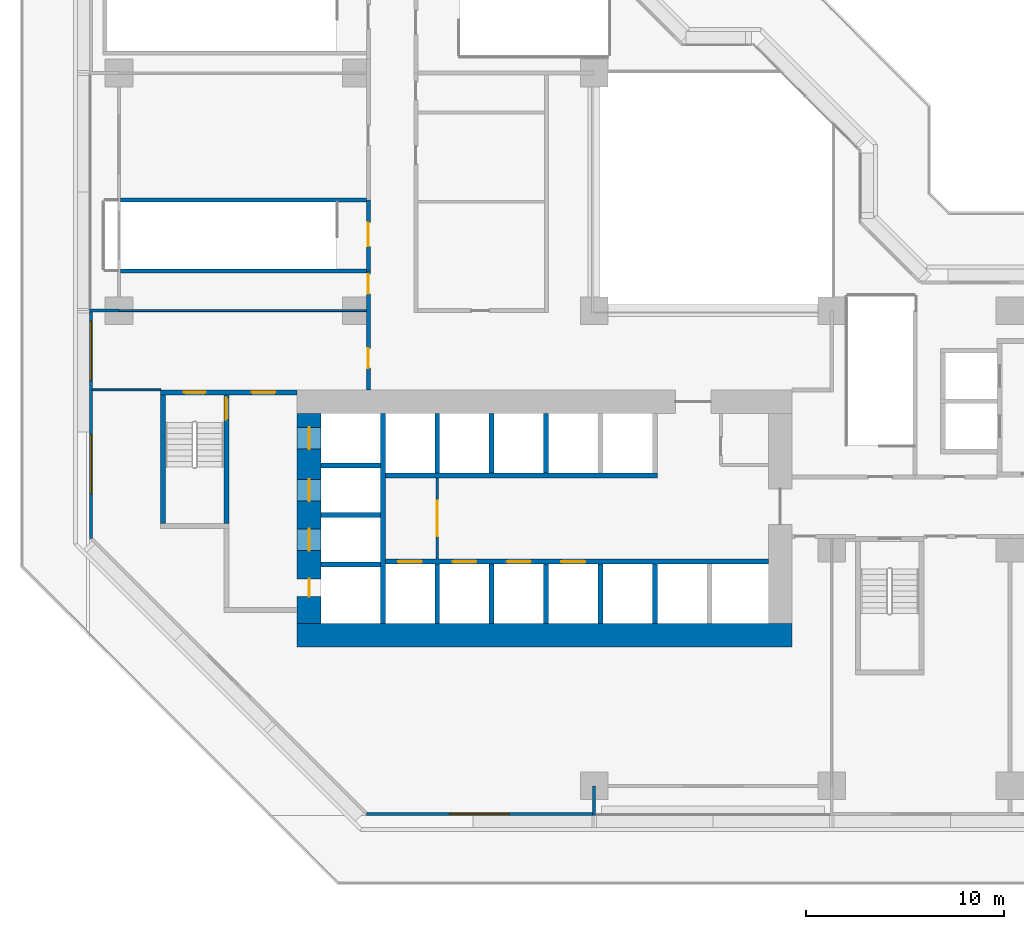
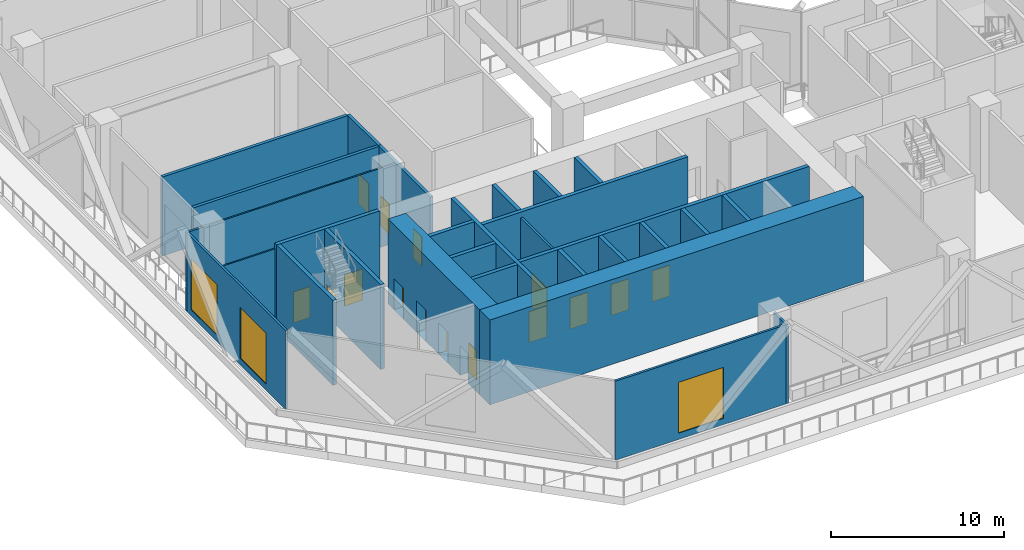
# One storey, part 4 of 16: 30 walls, 15 doors, 3 windows, 18 openings.
"""IFC4 building model written with IfcOpenShell, lengths in metres."""

from ifc_helpers import new_model, si_unit, direction, frame, frame_2d, origin, place, context, subcontext, project, spatial, rectangle, extrude, material, layer, layer_set, type_object, element, fill, save


model = new_model("IFC4")

# Units and contexts
model_context = context("Model", 3, precision=1e-05, world=origin(), true_north=direction((0.0, 1.0)))
body_context = subcontext(model_context, "Body", "Model", "MODEL_VIEW")
ifc_project = project(units=[si_unit("LENGTHUNIT", "METRE"), si_unit("AREAUNIT", "SQUARE_METRE"), si_unit("VOLUMEUNIT", "CUBIC_METRE"), si_unit("PLANEANGLEUNIT", "RADIAN"), si_unit("MASSUNIT", "GRAM", prefix="KILO")], contexts=[model_context])

# Site, building, storey
site_placement = place(None, origin())
site = spatial("IfcSite", under=ifc_project, at=site_placement, CompositionType="ELEMENT")
building_placement = place(site_placement, origin())
building = spatial("IfcBuilding", under=site, at=building_placement, Name="Chenar Terraces", CompositionType="ELEMENT")
storey_placement = place(building_placement, frame((0.0, 0.0, 35.39990234375)))
storey = spatial("IfcBuildingStorey", under=building, at=storey_placement, Name="L06", CompositionType="ELEMENT", Elevation=35.39990234375)

# Wall, opening, door
ifc_material_1 = material(Name="Gypsum board on steel studs", Category="steel")
ifc_layer_1 = layer(ifc_material_1, 0.14990234375)
ifc_layer_set_1 = layer_set([ifc_layer_1], Name="Gypsum board on steel studs")
wall_type_1 = type_object("IfcWallType", Name="Core partition 150 gypsum board", PredefinedType="PARTITIONING", material=ifc_layer_set_1)
wall_1_placement = place(storey_placement, frame((16.074951171875, 11.449951171875, 0.0), z_axis=(0.0, 0.0, 1.0), x_axis=(0.0, 1.0, 0.0)))
wall_1 = element("IfcWall", 1, at=wall_1_placement, inside=storey, type_object=wall_type_1, Name="Core partition CP1 lift lobby smoke stop", PredefinedType="PARTITIONING", context=body_context, shape_type="SweptSolid", body=[
    extrude(rectangle(XDim=4.10009765625, YDim=0.14990234375, at=frame_2d((2.050048828125, 0.0))), origin(), (0.0, 0.0, 1.0), 5.60009765625),
])
opening_1_placement = place(wall_1_placement, frame((1.14990234375, 0.0, 0.0)))
opening_1 = element("IfcOpeningElement", 2, at=opening_1_placement, cuts=wall_1, Name="Opening DL06-C12", PredefinedType="OPENING", context=body_context, shape_type="SweptSolid", body=[
    extrude(rectangle(XDim=1.800048828125, YDim=2.39990234375, at=frame_2d((0.89990234375, 1.199951171875))), frame((0.0, 0.0849609375, 0.0), z_axis=(0.0, -1.0, 0.0), x_axis=(1.0, 0.0, 0.0)), (0.0, 0.0, 1.0), 0.169921875),
])
ifc_material_2 = material(Name="Steel-framed fire-resisting door leaf", Category="steel")
door_type_1 = type_object("IfcDoorType", Name="Core entrance double fire door FD60 1800 x 2400", OperationType="DOUBLE_DOOR_SINGLE_SWING", PredefinedType="DOOR", material=ifc_material_2)
door_1_placement = place(opening_1_placement, origin())
door_1 = element("IfcDoor", 3, at=door_1_placement, inside=storey, type_object=door_type_1, Name="Core door DL06-C12", OperationType="DOUBLE_DOOR_SINGLE_SWING", OverallHeight=2.39990234375, OverallWidth=1.800048828125, PredefinedType="DOOR", context=body_context, shape_type="SweptSolid", body=[
    extrude(rectangle(XDim=1.800048828125, YDim=2.39990234375, at=frame_2d((0.89990234375, 1.199951171875))), frame((0.0, 0.02490234375, 0.0), z_axis=(0.0, -1.0, 0.0), x_axis=(1.0, 0.0, 0.0)), (0.0, 0.0, 1.0), 0.050048828125),
])
fill(opening_1, door_1)

# Wall
ifc_material_3 = material(Name="Concrete C70/85", Category="concrete")
ifc_layer_2 = layer(ifc_material_3, 1.199951171875)
ifc_layer_set_2 = layer_set([ifc_layer_2], Name="Concrete C70/85")
wall_type_2 = type_object("IfcWallType", Name="Core wall 1200 Concrete C70/85", PredefinedType="SHEAR", material=ifc_layer_set_2)
wall_2_placement = place(storey_placement, frame((9.0, 7.60009765625, 0.0), z_axis=(0.0, 0.0, 1.0), x_axis=(1.0, 0.0, 0.0)))
element("IfcWall", 4, at=wall_2_placement, inside=storey, type_object=wall_type_2, Name="Core wall S L06", PredefinedType="SHEAR", context=body_context, shape_type="SweptSolid", body=[
    extrude(rectangle(XDim=25.0, YDim=1.199951171875, at=frame_2d((12.5, 0.0))), origin(), (0.0, 0.0, 1.0), 6.0),
])

# Wall, openings, doors
wall_3_placement = place(storey_placement, frame((9.60009765625, 8.199951171875, 0.0), z_axis=(0.0, 0.0, 1.0), x_axis=(0.0, 1.0, 0.0)))
wall_3 = element("IfcWall", 5, at=wall_3_placement, inside=storey, type_object=wall_type_2, Name="Core wall W L06", PredefinedType="SHEAR", context=body_context, shape_type="SweptSolid", body=[
    extrude(rectangle(XDim=10.60009765625, YDim=1.199951171875, at=frame_2d((5.300048828125, 0.0))), origin(), (0.0, 0.0, 1.0), 6.0),
])
opening_2_placement = place(wall_3_placement, frame((3.675048828125, 0.0, 0.0)))
opening_2 = element("IfcOpeningElement", 6, at=opening_2_placement, cuts=wall_3, Name="Opening DL06-LD5", PredefinedType="OPENING", context=body_context, shape_type="SweptSolid", body=[
    extrude(rectangle(XDim=1.10009765625, YDim=2.199951171875, at=frame_2d((0.550048828125, 1.10009765625))), frame((0.0, 0.60986328125, 0.0), z_axis=(0.0, -1.0, 0.0), x_axis=(1.0, 0.0, 0.0)), (0.0, 0.0, 1.0), 1.219970703125),
])
opening_3_placement = place(wall_3_placement, frame((6.175048828125, 0.0, 0.0)))
opening_3 = element("IfcOpeningElement", 7, at=opening_3_placement, cuts=wall_3, Name="Opening DL06-LD6", PredefinedType="OPENING", context=body_context, shape_type="SweptSolid", body=[
    extrude(rectangle(XDim=1.10009765625, YDim=2.199951171875, at=frame_2d((0.550048828125, 1.10009765625))), frame((0.0, 0.60986328125, 0.0), z_axis=(0.0, -1.0, 0.0), x_axis=(1.0, 0.0, 0.0)), (0.0, 0.0, 1.0), 1.219970703125),
])
opening_4_placement = place(wall_3_placement, frame((8.800048828125, 0.0, 0.0)))
opening_4 = element("IfcOpeningElement", 8, at=opening_4_placement, cuts=wall_3, Name="Opening DL06-LD7", PredefinedType="OPENING", context=body_context, shape_type="SweptSolid", body=[
    extrude(rectangle(XDim=1.10009765625, YDim=2.199951171875, at=frame_2d((0.550048828125, 1.10009765625))), frame((0.0, 0.60986328125, 0.0), z_axis=(0.0, -1.0, 0.0), x_axis=(1.0, 0.0, 0.0)), (0.0, 0.0, 1.0), 1.219970703125),
])
opening_5_placement = place(wall_3_placement, frame((1.35009765625, 0.0, 0.0)))
opening_5 = element("IfcOpeningElement", 9, at=opening_5_placement, cuts=wall_3, Name="Opening DL06-C4", PredefinedType="OPENING", context=body_context, shape_type="SweptSolid", body=[
    extrude(rectangle(XDim=0.89990234375, YDim=2.10009765625, at=frame_2d((0.449951171875, 1.050048828125))), frame((0.0, 0.60986328125, 0.0), z_axis=(0.0, -1.0, 0.0), x_axis=(1.0, 0.0, 0.0)), (0.0, 0.0, 1.0), 1.219970703125),
])
ifc_material_4 = material(Name="Stainless steel", Category="steel")
door_type_2 = type_object("IfcDoorType", Name="Lift landing door 1100 x 2200 sliding", OperationType="DOUBLE_DOOR_SLIDING", PredefinedType="DOOR", material=ifc_material_4)
door_2_placement = place(opening_2_placement, origin())
door_2 = element("IfcDoor", 10, at=door_2_placement, inside=storey, type_object=door_type_2, Name="Landing door S1", OperationType="DOUBLE_DOOR_SLIDING", OverallHeight=2.199951171875, OverallWidth=1.10009765625, PredefinedType="DOOR", context=body_context, shape_type="SweptSolid", body=[
    extrude(rectangle(XDim=1.10009765625, YDim=2.199951171875, at=frame_2d((0.550048828125, 1.10009765625))), frame((0.0, 0.02490234375, 0.0), z_axis=(0.0, -1.0, 0.0), x_axis=(1.0, 0.0, 0.0)), (0.0, 0.0, 1.0), 0.050048828125),
])
fill(opening_2, door_2)
door_3_placement = place(opening_3_placement, origin())
door_3 = element("IfcDoor", 11, at=door_3_placement, inside=storey, type_object=door_type_2, Name="Landing door F1", OperationType="DOUBLE_DOOR_SLIDING", OverallHeight=2.199951171875, OverallWidth=1.10009765625, PredefinedType="DOOR", context=body_context, shape_type="SweptSolid", body=[
    extrude(rectangle(XDim=1.10009765625, YDim=2.199951171875, at=frame_2d((0.550048828125, 1.10009765625))), frame((0.0, 0.02490234375, 0.0), z_axis=(0.0, -1.0, 0.0), x_axis=(1.0, 0.0, 0.0)), (0.0, 0.0, 1.0), 0.050048828125),
])
fill(opening_3, door_3)
door_4_placement = place(opening_4_placement, origin())
door_4 = element("IfcDoor", 12, at=door_4_placement, inside=storey, type_object=door_type_2, Name="Landing door F2", OperationType="DOUBLE_DOOR_SLIDING", OverallHeight=2.199951171875, OverallWidth=1.10009765625, PredefinedType="DOOR", context=body_context, shape_type="SweptSolid", body=[
    extrude(rectangle(XDim=1.10009765625, YDim=2.199951171875, at=frame_2d((0.550048828125, 1.10009765625))), frame((0.0, 0.02490234375, 0.0), z_axis=(0.0, -1.0, 0.0), x_axis=(1.0, 0.0, 0.0)), (0.0, 0.0, 1.0), 0.050048828125),
])
fill(opening_4, door_4)
ifc_material_5 = material(Name="Steel-framed fire-resisting door leaf", Category="steel")
door_type_3 = type_object("IfcDoorType", Name="Riser fire door FD60 900 x 2100", OperationType="SINGLE_SWING_LEFT", PredefinedType="DOOR", material=ifc_material_5)
door_5_placement = place(opening_5_placement, frame((0.89990234375, 0.0, 0.0), z_axis=(0.0, 0.0, 1.0), x_axis=(-1.0, 0.0, 0.0)))
door_5 = element("IfcDoor", 13, at=door_5_placement, inside=storey, type_object=door_type_3, Name="Riser door DL06-C4", OperationType="SINGLE_SWING_RIGHT", OverallHeight=2.10009765625, OverallWidth=0.89990234375, PredefinedType="DOOR", context=body_context, shape_type="SweptSolid", body=[
    extrude(rectangle(XDim=0.89990234375, YDim=2.10009765625, at=frame_2d((0.449951171875, 1.050048828125))), frame((0.0, 0.02490234375, 0.0), z_axis=(0.0, -1.0, 0.0), x_axis=(1.0, 0.0, 0.0)), (0.0, 0.0, 1.0), 0.050048828125),
])
fill(opening_5, door_5)

# Wall
ifc_material_6 = material(Name="Concrete C70/85", Category="concrete")
ifc_layer_3 = layer(ifc_material_6, 0.25)
ifc_layer_set_3 = layer_set([ifc_layer_3], Name="Concrete C70/85")
wall_type_3 = type_object("IfcWallType", Name="Core wall 250 Concrete C70/85", PredefinedType="SHEAR", material=ifc_layer_set_3)
wall_4_placement = place(storey_placement, frame((13.324951171875, 8.199951171875, 0.0), z_axis=(0.0, 0.0, 1.0), x_axis=(0.0, 1.0, 0.0)))
element("IfcWall", 14, at=wall_4_placement, inside=storey, type_object=wall_type_3, Name="Core wall WI L06", PredefinedType="SHEAR", context=body_context, shape_type="SweptSolid", body=[
    extrude(rectangle(XDim=10.60009765625, YDim=0.25, at=frame_2d((5.300048828125, 0.0))), origin(), (0.0, 0.0, 1.0), 6.0),
])

# Wall, openings, doors
wall_5_placement = place(storey_placement, frame((13.449951171875, 11.324951171875, 0.0), z_axis=(0.0, 0.0, 1.0), x_axis=(1.0, 0.0, 0.0)))
wall_5 = element("IfcWall", 15, at=wall_5_placement, inside=storey, type_object=wall_type_3, Name="Core wall SF L06", PredefinedType="SHEAR", context=body_context, shape_type="SweptSolid", body=[
    extrude(rectangle(XDim=19.35009765625, YDim=0.25, at=frame_2d((9.675048828125, 0.0))), origin(), (0.0, 0.0, 1.0), 6.0),
])
opening_6_placement = place(wall_5_placement, frame((0.64990234375, 0.0, 0.0)))
opening_6 = element("IfcOpeningElement", 16, at=opening_6_placement, cuts=wall_5, Name="Opening DL06-LD1", PredefinedType="OPENING", context=body_context, shape_type="SweptSolid", body=[
    extrude(rectangle(XDim=1.199951171875, YDim=2.199951171875, at=frame_2d((0.60009765625, 1.10009765625))), frame((0.0, 0.135009765625, 0.0), z_axis=(0.0, -1.0, 0.0), x_axis=(1.0, 0.0, 0.0)), (0.0, 0.0, 1.0), 0.27001953125),
])
opening_7_placement = place(wall_5_placement, frame((3.39990234375, 0.0, 0.0)))
opening_7 = element("IfcOpeningElement", 17, at=opening_7_placement, cuts=wall_5, Name="Opening DL06-LD2", PredefinedType="OPENING", context=body_context, shape_type="SweptSolid", body=[
    extrude(rectangle(XDim=1.199951171875, YDim=2.199951171875, at=frame_2d((0.60009765625, 1.10009765625))), frame((0.0, 0.135009765625, 0.0), z_axis=(0.0, -1.0, 0.0), x_axis=(1.0, 0.0, 0.0)), (0.0, 0.0, 1.0), 0.27001953125),
])
opening_8_placement = place(wall_5_placement, frame((6.14990234375, 0.0, 0.0)))
opening_8 = element("IfcOpeningElement", 18, at=opening_8_placement, cuts=wall_5, Name="Opening DL06-LD3", PredefinedType="OPENING", context=body_context, shape_type="SweptSolid", body=[
    extrude(rectangle(XDim=1.199951171875, YDim=2.199951171875, at=frame_2d((0.60009765625, 1.10009765625))), frame((0.0, 0.135009765625, 0.0), z_axis=(0.0, -1.0, 0.0), x_axis=(1.0, 0.0, 0.0)), (0.0, 0.0, 1.0), 0.27001953125),
])
opening_9_placement = place(wall_5_placement, frame((8.89990234375, 0.0, 0.0)))
opening_9 = element("IfcOpeningElement", 19, at=opening_9_placement, cuts=wall_5, Name="Opening DL06-LD4", PredefinedType="OPENING", context=body_context, shape_type="SweptSolid", body=[
    extrude(rectangle(XDim=1.199951171875, YDim=2.199951171875, at=frame_2d((0.60009765625, 1.10009765625))), frame((0.0, 0.135009765625, 0.0), z_axis=(0.0, -1.0, 0.0), x_axis=(1.0, 0.0, 0.0)), (0.0, 0.0, 1.0), 0.27001953125),
])
ifc_material_7 = material(Name="Stainless steel", Category="steel")
door_type_4 = type_object("IfcDoorType", Name="Lift landing door 1200 x 2200 sliding", OperationType="DOUBLE_DOOR_SLIDING", PredefinedType="DOOR", material=ifc_material_7)
door_6_placement = place(opening_6_placement, origin())
door_6 = element("IfcDoor", 20, at=door_6_placement, inside=storey, type_object=door_type_4, Name="Landing door L1", OperationType="DOUBLE_DOOR_SLIDING", OverallHeight=2.199951171875, OverallWidth=1.199951171875, PredefinedType="DOOR", context=body_context, shape_type="SweptSolid", body=[
    extrude(rectangle(XDim=1.199951171875, YDim=2.199951171875, at=frame_2d((0.60009765625, 1.10009765625))), frame((0.0, 0.02490234375, 0.0), z_axis=(0.0, -1.0, 0.0), x_axis=(1.0, 0.0, 0.0)), (0.0, 0.0, 1.0), 0.050048828125),
])
fill(opening_6, door_6)
door_7_placement = place(opening_7_placement, origin())
door_7 = element("IfcDoor", 21, at=door_7_placement, inside=storey, type_object=door_type_4, Name="Landing door L2", OperationType="DOUBLE_DOOR_SLIDING", OverallHeight=2.199951171875, OverallWidth=1.199951171875, PredefinedType="DOOR", context=body_context, shape_type="SweptSolid", body=[
    extrude(rectangle(XDim=1.199951171875, YDim=2.199951171875, at=frame_2d((0.60009765625, 1.10009765625))), frame((0.0, 0.02490234375, 0.0), z_axis=(0.0, -1.0, 0.0), x_axis=(1.0, 0.0, 0.0)), (0.0, 0.0, 1.0), 0.050048828125),
])
fill(opening_7, door_7)
door_8_placement = place(opening_8_placement, origin())
door_8 = element("IfcDoor", 22, at=door_8_placement, inside=storey, type_object=door_type_4, Name="Landing door L3", OperationType="DOUBLE_DOOR_SLIDING", OverallHeight=2.199951171875, OverallWidth=1.199951171875, PredefinedType="DOOR", context=body_context, shape_type="SweptSolid", body=[
    extrude(rectangle(XDim=1.199951171875, YDim=2.199951171875, at=frame_2d((0.60009765625, 1.10009765625))), frame((0.0, 0.02490234375, 0.0), z_axis=(0.0, -1.0, 0.0), x_axis=(1.0, 0.0, 0.0)), (0.0, 0.0, 1.0), 0.050048828125),
])
fill(opening_8, door_8)
door_9_placement = place(opening_9_placement, origin())
door_9 = element("IfcDoor", 23, at=door_9_placement, inside=storey, type_object=door_type_4, Name="Landing door L4", OperationType="DOUBLE_DOOR_SLIDING", OverallHeight=2.199951171875, OverallWidth=1.199951171875, PredefinedType="DOOR", context=body_context, shape_type="SweptSolid", body=[
    extrude(rectangle(XDim=1.199951171875, YDim=2.199951171875, at=frame_2d((0.60009765625, 1.10009765625))), frame((0.0, 0.02490234375, 0.0), z_axis=(0.0, -1.0, 0.0), x_axis=(1.0, 0.0, 0.0)), (0.0, 0.0, 1.0), 0.050048828125),
])
fill(opening_9, door_9)

# Walls
wall_6_placement = place(storey_placement, frame((13.449951171875, 15.675048828125, 0.0), z_axis=(0.0, 0.0, 1.0), x_axis=(1.0, 0.0, 0.0)))
element("IfcWall", 24, at=wall_6_placement, inside=storey, type_object=wall_type_3, Name="Core wall NF L06", PredefinedType="SHEAR", context=body_context, shape_type="SweptSolid", body=[
    extrude(rectangle(XDim=13.75, YDim=0.25, at=frame_2d((6.875, 0.0))), origin(), (0.0, 0.0, 1.0), 6.0),
])
for number, where, z_axis, x_axis, name in (
    (25, (10.199951171875, 11.175048828125, 0.0), (0.0, 0.0, 1.0), (1.0, 0.0, 0.0), "Core wall HW0 L06"),
    (26, (10.199951171875, 13.675048828125, 0.0), (0.0, 0.0, 1.0), (1.0, 0.0, 0.0), "Core wall HW1 L06"),
    (27, (10.199951171875, 16.175048828125, 0.0), (0.0, 0.0, 1.0), (1.0, 0.0, 0.0), "Core wall HW2 L06"),
    (28, (16.074951171875, 8.199951171875, 0.0), (0.0, 0.0, 1.0), (0.0, 1.0, 0.0), "Core wall SS0 L06"),
    (29, (18.824951171875, 8.199951171875, 0.0), (0.0, 0.0, 1.0), (0.0, 1.0, 0.0), "Core wall SS1 L06"),
    (30, (21.574951171875, 8.199951171875, 0.0), (0.0, 0.0, 1.0), (0.0, 1.0, 0.0), "Core wall SS2 L06"),
    (31, (24.324951171875, 8.199951171875, 0.0), (0.0, 0.0, 1.0), (0.0, 1.0, 0.0), "Core wall SS3 L06"),
    (32, (27.074951171875, 8.199951171875, 0.0), (0.0, 0.0, 1.0), (0.0, 1.0, 0.0), "Core wall SS4 L06"),
    (33, (16.074951171875, 15.800048828125, 0.0), (0.0, 0.0, 1.0), (0.0, 1.0, 0.0), "Core wall NS0 L06"),
    (34, (18.824951171875, 15.800048828125, 0.0), (0.0, 0.0, 1.0), (0.0, 1.0, 0.0), "Core wall NS1 L06"),
    (35, (21.574951171875, 15.800048828125, 0.0), (0.0, 0.0, 1.0), (0.0, 1.0, 0.0), "Core wall NS2 L06"),
):
    element("IfcWall", number, at=place(storey_placement, frame(where, z_axis=z_axis, x_axis=x_axis)), inside=storey, type_object=wall_type_3, Name=name, PredefinedType="SHEAR", context=body_context, shape_type="SweptSolid", body=[
        extrude(rectangle(XDim=3.0, YDim=0.25, at=frame_2d((1.5, 0.0))), origin(), (0.0, 0.0, 1.0), 6.0),
    ])

# Wall, openings, doors
wall_7_placement = place(storey_placement, frame((2.10009765625, 19.875, 0.0), z_axis=(0.0, 0.0, 1.0), x_axis=(1.0, 0.0, 0.0)))
wall_7 = element("IfcWall", 36, at=wall_7_placement, inside=storey, type_object=wall_type_3, Name="Core wall A_N L06", PredefinedType="SHEAR", context=body_context, shape_type="SweptSolid", body=[
    extrude(rectangle(XDim=6.89990234375, YDim=0.25, at=frame_2d((3.449951171875, 0.0))), origin(), (0.0, 0.0, 1.0), 6.0),
])
opening_10_placement = place(wall_7_placement, frame((1.175048828125, 0.0, 0.0)))
opening_10 = element("IfcOpeningElement", 37, at=opening_10_placement, cuts=wall_7, Name="Opening DL06-C5", PredefinedType="OPENING", context=body_context, shape_type="SweptSolid", body=[
    extrude(rectangle(XDim=1.10009765625, YDim=2.199951171875, at=frame_2d((0.550048828125, 1.10009765625))), frame((0.0, 0.135009765625, 0.0), z_axis=(0.0, -1.0, 0.0), x_axis=(1.0, 0.0, 0.0)), (0.0, 0.0, 1.0), 0.27001953125),
])
opening_11_placement = place(wall_7_placement, frame((4.60009765625, 0.0, 0.0)))
opening_11 = element("IfcOpeningElement", 38, at=opening_11_placement, cuts=wall_7, Name="Opening DL06-C6", PredefinedType="OPENING", context=body_context, shape_type="SweptSolid", body=[
    extrude(rectangle(XDim=1.199951171875, YDim=2.199951171875, at=frame_2d((0.60009765625, 1.10009765625))), frame((0.0, 0.135009765625, 0.0), z_axis=(0.0, -1.0, 0.0), x_axis=(1.0, 0.0, 0.0)), (0.0, 0.0, 1.0), 0.27001953125),
])
ifc_material_8 = material(Name="Steel-framed fire-resisting door leaf", Category="steel")
door_type_5 = type_object("IfcDoorType", Name="Lobby fire door FD60 1200 x 2200", OperationType="SINGLE_SWING_LEFT", PredefinedType="DOOR", material=ifc_material_8)
door_10_placement = place(opening_11_placement, origin())
door_10 = element("IfcDoor", 39, at=door_10_placement, inside=storey, type_object=door_type_5, Name="Core door DL06-C6", OperationType="SINGLE_SWING_RIGHT", OverallHeight=2.199951171875, OverallWidth=1.199951171875, PredefinedType="DOOR", context=body_context, shape_type="SweptSolid", body=[
    extrude(rectangle(XDim=1.199951171875, YDim=2.199951171875, at=frame_2d((0.60009765625, 1.10009765625))), frame((0.0, 0.02490234375, 0.0), z_axis=(0.0, -1.0, 0.0), x_axis=(1.0, 0.0, 0.0)), (0.0, 0.0, 1.0), 0.050048828125),
])
fill(opening_11, door_10)
ifc_material_9 = material(Name="Steel-framed fire-resisting door leaf", Category="steel")
door_type_6 = type_object("IfcDoorType", Name="Stair fire door FD60 1100 x 2200", OperationType="SINGLE_SWING_LEFT", PredefinedType="DOOR", material=ifc_material_9)
door_11_placement = place(opening_10_placement, origin())
door_11 = element("IfcDoor", 40, at=door_11_placement, inside=storey, type_object=door_type_6, Name="Stair door DL06-C5", OperationType="SINGLE_SWING_LEFT", OverallHeight=2.199951171875, OverallWidth=1.10009765625, PredefinedType="DOOR", context=body_context, shape_type="SweptSolid", body=[
    extrude(rectangle(XDim=1.10009765625, YDim=2.199951171875, at=frame_2d((0.550048828125, 1.10009765625))), frame((0.0, 0.02490234375, 0.0), z_axis=(0.0, -1.0, 0.0), x_axis=(1.0, 0.0, 0.0)), (0.0, 0.0, 1.0), 0.050048828125),
])
fill(opening_10, door_11)

# Wall
wall_8_placement = place(storey_placement, frame((2.22509765625, 13.25, 0.0), z_axis=(0.0, 0.0, 1.0), x_axis=(0.0, 1.0, 0.0)))
element("IfcWall", 41, at=wall_8_placement, inside=storey, type_object=wall_type_3, Name="Core wall ST1_W L06", PredefinedType="SHEAR", context=body_context, shape_type="SweptSolid", body=[
    extrude(rectangle(XDim=6.5, YDim=0.25, at=frame_2d((3.25, 0.0))), origin(), (0.0, 0.0, 1.0), 6.0),
])

# Wall, opening, door
wall_9_placement = place(storey_placement, frame((5.425048828125, 13.25, 0.0), z_axis=(0.0, 0.0, 1.0), x_axis=(0.0, 1.0, 0.0)))
wall_9 = element("IfcWall", 42, at=wall_9_placement, inside=storey, type_object=wall_type_3, Name="Core wall ST1_E L06", PredefinedType="SHEAR", context=body_context, shape_type="SweptSolid", body=[
    extrude(rectangle(XDim=6.5, YDim=0.25, at=frame_2d((3.25, 0.0))), origin(), (0.0, 0.0, 1.0), 6.0),
])
opening_12_placement = place(wall_9_placement, frame((5.25, 0.0, 0.0)))
opening_12 = element("IfcOpeningElement", 43, at=opening_12_placement, cuts=wall_9, Name="Opening DL06-C3", PredefinedType="OPENING", context=body_context, shape_type="SweptSolid", body=[
    extrude(rectangle(XDim=1.10009765625, YDim=2.199951171875, at=frame_2d((0.550048828125, 1.10009765625))), frame((0.0, 0.135009765625, 0.0), z_axis=(0.0, -1.0, 0.0), x_axis=(1.0, 0.0, 0.0)), (0.0, 0.0, 1.0), 0.27001953125),
])
door_12_placement = place(opening_12_placement, origin())
door_12 = element("IfcDoor", 44, at=door_12_placement, inside=storey, type_object=door_type_6, Name="Stair door DL06-C3", OperationType="SINGLE_SWING_RIGHT", OverallHeight=2.199951171875, OverallWidth=1.10009765625, PredefinedType="DOOR", context=body_context, shape_type="SweptSolid", body=[
    extrude(rectangle(XDim=1.10009765625, YDim=2.199951171875, at=frame_2d((0.550048828125, 1.10009765625))), frame((0.0, 0.02490234375, 0.0), z_axis=(0.0, -1.0, 0.0), x_axis=(1.0, 0.0, 0.0)), (0.0, 0.0, 1.0), 0.050048828125),
])
fill(opening_12, door_12)

# Wall, openings, doors
ifc_material_10 = material(Name="Gypsum board on steel studs with fire boards", Category="steel")
ifc_layer_4 = layer(ifc_material_10, 0.199951171875)
ifc_layer_set_4 = layer_set([ifc_layer_4], Name="Gypsum board on steel studs with fire boards")
wall_type_4 = type_object("IfcWallType", Name="Corridor wall 200", PredefinedType="PARTITIONING", material=ifc_layer_set_4)
wall_10_placement = place(storey_placement, frame((12.60009765625, 20.0, 0.0), z_axis=(0.0, 0.0, 1.0), x_axis=(0.0, 1.0, 0.0)))
wall_10 = element("IfcWall", 45, at=wall_10_placement, inside=storey, type_object=wall_type_4, Name="Partition L06-015", PredefinedType="PARTITIONING", context=body_context, shape_type="SweptSolid", body=[
    extrude(rectangle(XDim=6.0, YDim=0.199951171875, at=frame_2d((3.0, 0.0))), origin(), (0.0, 0.0, 1.0), 5.60009765625),
])
opening_13_placement = place(wall_10_placement, frame((4.85009765625, 0.0, 0.0)))
opening_13 = element("IfcOpeningElement", 46, at=opening_13_placement, cuts=wall_10, Name="Opening DL06-17", PredefinedType="OPENING", context=body_context, shape_type="SweptSolid", body=[
    extrude(rectangle(XDim=1.0, YDim=2.10009765625, at=frame_2d((0.5, 1.050048828125))), frame((0.0, 0.10986328125, 0.0), z_axis=(0.0, -1.0, 0.0), x_axis=(1.0, 0.0, 0.0)), (0.0, 0.0, 1.0), 0.219970703125),
])
opening_14_placement = place(wall_10_placement, frame((1.10009765625, 0.0, 0.0)))
opening_14 = element("IfcOpeningElement", 47, at=opening_14_placement, cuts=wall_10, Name="Opening DL06-35", PredefinedType="OPENING", context=body_context, shape_type="SweptSolid", body=[
    extrude(rectangle(XDim=1.0, YDim=2.10009765625, at=frame_2d((0.5, 1.050048828125))), frame((0.0, 0.10986328125, 0.0), z_axis=(0.0, -1.0, 0.0), x_axis=(1.0, 0.0, 0.0)), (0.0, 0.0, 1.0), 0.219970703125),
])
ifc_material_11 = material(Name="Steel-framed fire-resisting door leaf", Category="steel")
door_type_7 = type_object("IfcDoorType", Name="Fire door FD60 1000 x 2100", OperationType="SINGLE_SWING_LEFT", PredefinedType="DOOR", material=ifc_material_11)
door_13_placement = place(opening_13_placement, origin())
door_13 = element("IfcDoor", 48, at=door_13_placement, inside=storey, type_object=door_type_7, Name="Door DL06-17", OperationType="SINGLE_SWING_RIGHT", OverallHeight=2.10009765625, OverallWidth=1.0, PredefinedType="DOOR", context=body_context, shape_type="SweptSolid", body=[
    extrude(rectangle(XDim=1.0, YDim=2.10009765625, at=frame_2d((0.5, 1.050048828125))), frame((0.0, 0.02490234375, 0.0), z_axis=(0.0, -1.0, 0.0), x_axis=(1.0, 0.0, 0.0)), (0.0, 0.0, 1.0), 0.050048828125),
])
fill(opening_13, door_13)
door_14_placement = place(opening_14_placement, origin())
door_14 = element("IfcDoor", 49, at=door_14_placement, inside=storey, type_object=door_type_7, Name="Door DL06-35", OperationType="SINGLE_SWING_LEFT", OverallHeight=2.10009765625, OverallWidth=1.0, PredefinedType="DOOR", context=body_context, shape_type="SweptSolid", body=[
    extrude(rectangle(XDim=1.0, YDim=2.10009765625, at=frame_2d((0.5, 1.050048828125))), frame((0.0, 0.02490234375, 0.0), z_axis=(0.0, -1.0, 0.0), x_axis=(1.0, 0.0, 0.0)), (0.0, 0.0, 1.0), 0.050048828125),
])
fill(opening_14, door_14)

# Wall, openings, windows
ifc_material_12 = material(Name="Aluminium framed glazing", Category="aluminium")
ifc_layer_5 = layer(ifc_material_12, 0.14990234375)
ifc_layer_set_5 = layer_set([ifc_layer_5], Name="Aluminium framed glazing")
wall_type_5 = type_object("IfcWallType", Name="Glazed flush facade wall 150", PredefinedType="SOLIDWALL", material=ifc_layer_set_5)
wall_11_placement = place(storey_placement, frame((-1.425048828125, 23.925048828125, 0.0), z_axis=(0.0, 0.0, 1.0), x_axis=(0.0, -1.0, 0.0)))
wall_11 = element("IfcWall", 50, at=wall_11_placement, inside=storey, type_object=wall_type_5, Name="Glazed flush facade wall", PredefinedType="SOLIDWALL", context=body_context, shape_type="SweptSolid", body=[
    extrude(rectangle(XDim=11.425048828125, YDim=0.14990234375, at=frame_2d((5.71240234375, 0.0))), origin(), (0.0, 0.0, 1.0), 5.60009765625),
])
opening_15_placement = place(wall_11_placement, frame((0.46240234375, 0.0, 0.449951171875)))
opening_15 = element("IfcOpeningElement", 51, at=opening_15_placement, cuts=wall_11, Name="Opening W300x360", PredefinedType="OPENING", context=body_context, shape_type="SweptSolid", body=[
    extrude(rectangle(XDim=3.0, YDim=3.60009765625, at=frame_2d((1.5, 1.800048828125))), frame((0.0, 0.0849609375, 0.0), z_axis=(0.0, -1.0, 0.0), x_axis=(1.0, 0.0, 0.0)), (0.0, 0.0, 1.0), 0.169921875),
])
opening_16_placement = place(wall_11_placement, frame((6.175048828125, 0.0, 0.449951171875)))
opening_16 = element("IfcOpeningElement", 52, at=opening_16_placement, cuts=wall_11, Name="Opening W300x360", PredefinedType="OPENING", context=body_context, shape_type="SweptSolid", body=[
    extrude(rectangle(XDim=3.0, YDim=3.60009765625, at=frame_2d((1.5, 1.800048828125))), frame((0.0, 0.0849609375, 0.0), z_axis=(0.0, -1.0, 0.0), x_axis=(1.0, 0.0, 0.0)), (0.0, 0.0, 1.0), 0.169921875),
])
ifc_material_13 = material(Name="Low emissivity double glazing, aluminium frame", Category="aluminium")
window_type = type_object("IfcWindowType", Name="Fixed light 3000 x 3600", PartitioningType="SINGLE_PANEL", PredefinedType="WINDOW", material=ifc_material_13)
window_1_placement = place(opening_15_placement, origin())
window_1 = element("IfcWindow", 53, at=window_1_placement, inside=storey, type_object=window_type, Name="Window", OverallHeight=3.60009765625, OverallWidth=3.0, PartitioningType="SINGLE_PANEL", PredefinedType="WINDOW", context=body_context, shape_type="SweptSolid", body=[
    extrude(rectangle(XDim=3.0, YDim=3.60009765625, at=frame_2d((1.5, 1.800048828125))), frame((0.0, 0.030029296875, 0.0), z_axis=(0.0, -1.0, 0.0), x_axis=(1.0, 0.0, 0.0)), (0.0, 0.0, 1.0), 0.06005859375),
])
fill(opening_15, window_1)
window_2_placement = place(opening_16_placement, origin())
window_2 = element("IfcWindow", 54, at=window_2_placement, inside=storey, type_object=window_type, Name="Window", OverallHeight=3.60009765625, OverallWidth=3.0, PartitioningType="SINGLE_PANEL", PredefinedType="WINDOW", context=body_context, shape_type="SweptSolid", body=[
    extrude(rectangle(XDim=3.0, YDim=3.60009765625, at=frame_2d((1.5, 1.800048828125))), frame((0.0, 0.030029296875, 0.0), z_axis=(0.0, -1.0, 0.0), x_axis=(1.0, 0.0, 0.0)), (0.0, 0.0, 1.0), 0.06005859375),
])
fill(opening_16, window_2)

# Wall, opening, window
wall_12_placement = place(storey_placement, frame((12.5, -1.425048828125, 0.0), z_axis=(0.0, 0.0, 1.0), x_axis=(1.0, 0.0, 0.0)))
wall_12 = element("IfcWall", 55, at=wall_12_placement, inside=storey, type_object=wall_type_5, Name="Glazed flush facade wall", PredefinedType="SOLIDWALL", context=body_context, shape_type="SweptSolid", body=[
    extrude(rectangle(XDim=11.425048828125, YDim=0.14990234375, at=frame_2d((5.71240234375, 0.0))), origin(), (0.0, 0.0, 1.0), 5.60009765625),
])
opening_17_placement = place(wall_12_placement, frame((4.21240234375, 0.0, 0.449951171875)))
opening_17 = element("IfcOpeningElement", 56, at=opening_17_placement, cuts=wall_12, Name="Opening W300x360", PredefinedType="OPENING", context=body_context, shape_type="SweptSolid", body=[
    extrude(rectangle(XDim=3.0, YDim=3.60009765625, at=frame_2d((1.5, 1.800048828125))), frame((0.0, 0.0849609375, 0.0), z_axis=(0.0, -1.0, 0.0), x_axis=(1.0, 0.0, 0.0)), (0.0, 0.0, 1.0), 0.169921875),
])
window_3_placement = place(opening_17_placement, origin())
window_3 = element("IfcWindow", 57, at=window_3_placement, inside=storey, type_object=window_type, Name="Window", OverallHeight=3.60009765625, OverallWidth=3.0, PartitioningType="SINGLE_PANEL", PredefinedType="WINDOW", context=body_context, shape_type="SweptSolid", body=[
    extrude(rectangle(XDim=3.0, YDim=3.60009765625, at=frame_2d((1.5, 1.800048828125))), frame((0.0, 0.030029296875, 0.0), z_axis=(0.0, -1.0, 0.0), x_axis=(1.0, 0.0, 0.0)), (0.0, 0.0, 1.0), 0.06005859375),
])
fill(opening_17, window_3)

# Walls
ifc_material_14 = material(Name="Gypsum board on steel studs", Category="steel")
ifc_layer_6 = layer(ifc_material_14, 0.10009765625)
ifc_layer_set_6 = layer_set([ifc_layer_6], Name="Gypsum board on steel studs")
wall_type_6 = type_object("IfcWallType", Name="Gypsum partition 100", PredefinedType="PARTITIONING", material=ifc_layer_set_6)
wall_13_placement = place(storey_placement, frame((-1.35107421875, 20.0, 0.0), z_axis=(0.0, 0.0, 1.0), x_axis=(1.0, 0.0, 0.0)))
element("IfcWall", 58, at=wall_13_placement, inside=storey, type_object=wall_type_6, Name="Partition L06-001", PredefinedType="PARTITIONING", context=body_context, shape_type="SweptSolid", body=[
    extrude(rectangle(XDim=3.451171875, YDim=0.10009765625, at=frame_2d((1.7255859375, 0.0))), origin(), (0.0, 0.0, 1.0), 5.60009765625),
])
wall_14_placement = place(storey_placement, frame((0.0, 24.0, 0.0), z_axis=(0.0, 0.0, 1.0), x_axis=(1.0, 0.0, 0.0)))
element("IfcWall", 59, at=wall_14_placement, inside=storey, type_object=wall_type_6, Name="Partition L06-006", PredefinedType="PARTITIONING", context=body_context, shape_type="SweptSolid", body=[
    extrude(rectangle(XDim=12.5, YDim=0.10009765625, at=frame_2d((6.25, 0.0))), origin(), (0.0, 0.0, 1.0), 5.60009765625),
])
ifc_material_15 = material(Name="Terracotta cladding on insulated backing", Category="masonry")
ifc_layer_7 = layer(ifc_material_15, 0.14990234375)
ifc_layer_set_7 = layer_set([ifc_layer_7], Name="Terracotta cladding on insulated backing")
wall_type_7 = type_object("IfcWallType", Name="Loggia return wall 150", PredefinedType="SOLIDWALL", material=ifc_layer_set_7)
for number, where, z_axis, x_axis, name in (
    (60, (-1.5, 24.0, 0.0), (0.0, 0.0, 1.0), (1.0, 0.0, 0.0), "Loggia return wall"),
    (61, (24.0, -1.5, 0.0), (0.0, 0.0, 1.0), (0.0, 1.0, 0.0), "Loggia return wall"),
):
    element("IfcWall", number, at=place(storey_placement, frame(where, z_axis=z_axis, x_axis=x_axis)), inside=storey, type_object=wall_type_7, Name=name, PredefinedType="SOLIDWALL", context=body_context, shape_type="SweptSolid", body=[
        extrude(rectangle(XDim=1.5, YDim=0.14990234375, at=frame_2d((0.75, 0.0))), origin(), (0.0, 0.0, 1.0), 5.60009765625),
    ])
ifc_material_16 = material(Name="Reinforced concrete C40/50", Category="concrete")
ifc_layer_8 = layer(ifc_material_16, 0.199951171875)
ifc_layer_set_8 = layer_set([ifc_layer_8], Name="Reinforced concrete C40/50")
wall_type_8 = type_object("IfcWallType", Name="Stair enclosure wall 200 concrete", PredefinedType="SOLIDWALL", material=ifc_layer_set_8)
for number, where, z_axis, x_axis, name in (
    (62, (0.073974609375, 26.0, 0.0), (0.0, 0.0, 1.0), (1.0, 0.0, 0.0), "Stair enclosure wall L06-008"),
    (63, (0.073974609375, 29.60009765625, 0.0), (0.0, 0.0, 1.0), (1.0, 0.0, 0.0), "Stair enclosure wall L06-009"),
):
    element("IfcWall", number, at=place(storey_placement, frame(where, z_axis=z_axis, x_axis=x_axis)), inside=storey, type_object=wall_type_8, Name=name, PredefinedType="SOLIDWALL", context=body_context, shape_type="SweptSolid", body=[
        extrude(rectangle(XDim=12.426025390625, YDim=0.199951171875, at=frame_2d((6.212890625, 0.0))), origin(), (0.0, 0.0, 1.0), 5.60009765625),
    ])

# Wall, opening, door
wall_15_placement = place(storey_placement, frame((12.60009765625, 26.0, 0.0), z_axis=(0.0, 0.0, 1.0), x_axis=(0.0, 1.0, 0.0)))
wall_15 = element("IfcWall", 64, at=wall_15_placement, inside=storey, type_object=wall_type_8, Name="Stair enclosure wall L06-016", PredefinedType="SOLIDWALL", context=body_context, shape_type="SweptSolid", body=[
    extrude(rectangle(XDim=3.60009765625, YDim=0.199951171875, at=frame_2d((1.800048828125, 0.0))), origin(), (0.0, 0.0, 1.0), 5.60009765625),
])
opening_18_placement = place(wall_15_placement, frame((1.25, 0.0, 0.0)))
opening_18 = element("IfcOpeningElement", 65, at=opening_18_placement, cuts=wall_15, Name="Opening DL06-27", PredefinedType="OPENING", context=body_context, shape_type="SweptSolid", body=[
    extrude(rectangle(XDim=1.199951171875, YDim=2.10009765625, at=frame_2d((0.60009765625, 1.050048828125))), frame((0.0, 0.10986328125, 0.0), z_axis=(0.0, -1.0, 0.0), x_axis=(1.0, 0.0, 0.0)), (0.0, 0.0, 1.0), 0.219970703125),
])
ifc_material_17 = material(Name="Steel-framed fire-resisting door leaf", Category="steel")
door_type_8 = type_object("IfcDoorType", Name="Fire door FD120 1200 x 2100", OperationType="SINGLE_SWING_LEFT", PredefinedType="DOOR", material=ifc_material_17)
door_15_placement = place(opening_18_placement, origin())
door_15 = element("IfcDoor", 66, at=door_15_placement, inside=storey, type_object=door_type_8, Name="Door DL06-27", OperationType="SINGLE_SWING_RIGHT", OverallHeight=2.10009765625, OverallWidth=1.199951171875, PredefinedType="DOOR", context=body_context, shape_type="SweptSolid", body=[
    extrude(rectangle(XDim=1.199951171875, YDim=2.10009765625, at=frame_2d((0.60009765625, 1.050048828125))), frame((0.0, 0.02490234375, 0.0), z_axis=(0.0, -1.0, 0.0), x_axis=(1.0, 0.0, 0.0)), (0.0, 0.0, 1.0), 0.050048828125),
])
fill(opening_18, door_15)

save(model, "model.ifc")
